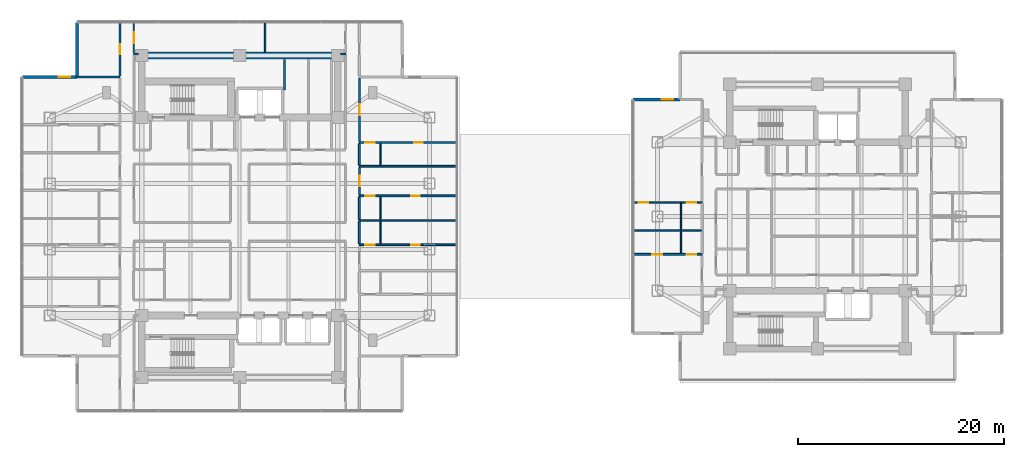
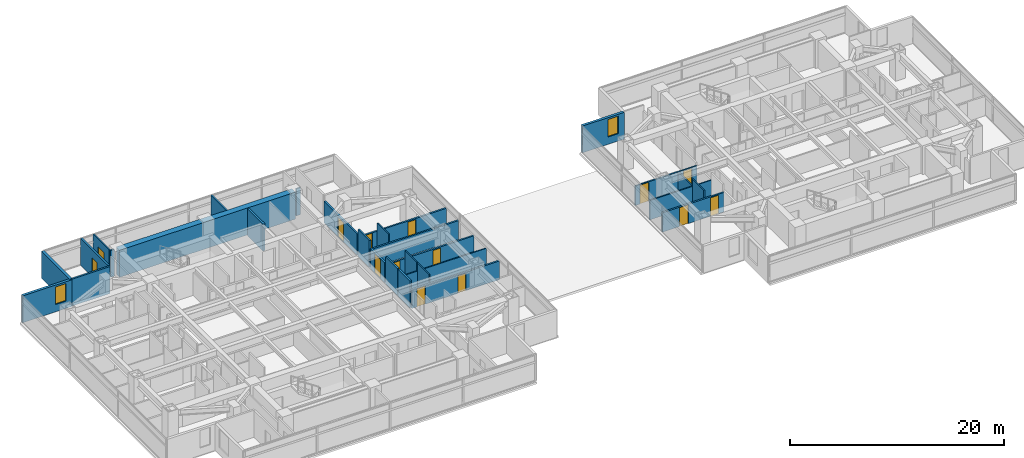
# One storey, part 16 of 26: 29 walls, 14 doors, 2 windows, 16 openings.
"""IFC4 building model written with IfcOpenShell, lengths in metres."""

from ifc_helpers import new_model, si_unit, direction, frame, frame_2d, origin, place, context, subcontext, project, spatial, rectangle, extrude, material, layer, layer_set, type_object, element, fill, save


model = new_model("IFC4")

# Units and contexts
model_context = context("Model", 3, precision=1e-05, world=origin(), true_north=direction((0.0, 1.0)))
body_context = subcontext(model_context, "Body", "Model", "MODEL_VIEW")
ifc_project = project(units=[si_unit("LENGTHUNIT", "METRE"), si_unit("AREAUNIT", "SQUARE_METRE"), si_unit("VOLUMEUNIT", "CUBIC_METRE"), si_unit("PLANEANGLEUNIT", "RADIAN"), si_unit("MASSUNIT", "GRAM", prefix="KILO")], contexts=[model_context])

# Site, building, storey
site_placement = place(None, origin())
site = spatial("IfcSite", under=ifc_project, at=site_placement, CompositionType="ELEMENT")
building_placement = place(site_placement, origin())
building = spatial("IfcBuilding", under=site, at=building_placement, Name="Mirazonda Arch Towers", CompositionType="ELEMENT")
storey_placement = place(building_placement, frame((0.0, 0.0, 98.300048828125)))
storey = spatial("IfcBuildingStorey", under=building, at=storey_placement, Name="L27", CompositionType="ELEMENT", Elevation=98.300048828125)

# Wall
ifc_material_1 = material(Name="Concrete C60/75", Category="concrete")
ifc_layer_1 = layer(ifc_material_1, 0.64990234375, Name="WALL-CORE-650")
ifc_layer_set_1 = layer_set([ifc_layer_1], Name="Concrete C60/75")
wall_type_1 = type_object("IfcWallType", Name="WALL-CORE-650", PredefinedType="SHEAR", material=ifc_layer_set_1)
wall_1_placement = place(storey_placement, frame((11.0, 43.60009765625, 0.0), z_axis=(0.0, 0.0, 1.0), x_axis=(1.0, 0.0, 0.0)))
element("IfcWall", 1, at=wall_1_placement, inside=storey, type_object=wall_type_1, Name="L27 T1N-N Core Shear Wall", PredefinedType="SHEAR", context=body_context, shape_type="SweptSolid", body=[
    extrude(rectangle(XDim=19.0, YDim=0.64990234375, at=frame_2d((9.5, 0.0))), origin(), (0.0, 0.0, 1.0), 3.079833984375),
])

# Wall, opening, window
ifc_material_2 = material(Name="Precast Concrete C40/50", Category="concrete")
ifc_layer_2 = layer(ifc_material_2, 0.280029296875, Name="WALL-EXT-WALL-280")
ifc_layer_set_2 = layer_set([ifc_layer_2], Name="Precast Concrete C40/50")
wall_type_2 = type_object("IfcWallType", Name="WALL-EXT-WALL-280", PredefinedType="SOLIDWALL", material=ifc_layer_set_2)
wall_2_placement = place(storey_placement, frame((4.735107421875, 41.51904296875, 0.0), z_axis=(0.0, 0.0, 1.0), x_axis=(-1.0, 0.0, 0.0)))
wall_2 = element("IfcWall", 2, at=wall_2_placement, inside=storey, type_object=wall_type_2, Name="L27 T1 Corner Notch Return Wall WL-L27-T1-CNW1", PredefinedType="SOLIDWALL", context=body_context, shape_type="SweptSolid", body=[
    extrude(rectangle(XDim=5.30517578125, YDim=0.280029296875, at=frame_2d((2.652587890625, 0.0))), origin(), (0.0, 0.0, 1.0), 3.06005859375),
])
opening_1_placement = place(wall_2_placement, frame((0.64990234375, 0.0, 0.85009765625)))
opening_1 = element("IfcOpeningElement", 3, at=opening_1_placement, cuts=wall_2, Name="Opening WN-108", PredefinedType="OPENING", context=body_context, shape_type="SweptSolid", body=[
    extrude(rectangle(XDim=1.10009765625, YDim=2.0, at=frame_2d((0.550048828125, 1.0))), frame((0.0, 0.14990234375, 0.0), z_axis=(0.0, -1.0, 0.0), x_axis=(1.0, 0.0, 0.0)), (0.0, 0.0, 1.0), 0.300048828125),
])
ifc_material_3 = material(Name="Insulated Low-E Solar Glass", Category="glass")
window_type = type_object("IfcWindowType", Name="WIN-NOTCH-1100x2000", PartitioningType="SINGLE_PANEL", PredefinedType="WINDOW", material=ifc_material_3)
window_1_placement = place(opening_1_placement, origin())
window_1 = element("IfcWindow", 4, at=window_1_placement, inside=storey, type_object=window_type, Name="L27 Punched Facade Window WN-L27-T1-CNW1", OverallHeight=2.0, OverallWidth=1.10009765625, PartitioningType="SINGLE_PANEL", PredefinedType="WINDOW", context=body_context, shape_type="SweptSolid", body=[
    extrude(rectangle(XDim=1.10009765625, YDim=2.0, at=frame_2d((0.550048828125, 1.0))), frame((0.0, 0.030029296875, 0.0), z_axis=(0.0, -1.0, 0.0), x_axis=(1.0, 0.0, 0.0)), (0.0, 0.0, 1.0), 0.06005859375),
])
fill(opening_1, window_1)

# Wall
wall_3_placement = place(storey_placement, frame((4.735107421875, 46.823974609375, 0.0), z_axis=(0.0, 0.0, 1.0), x_axis=(0.0, -1.0, 0.0)))
element("IfcWall", 5, at=wall_3_placement, inside=storey, type_object=wall_type_2, Name="L27 T1 Corner Notch Return Wall WL-L27-T1-CNW2", PredefinedType="SOLIDWALL", context=body_context, shape_type="SweptSolid", body=[
    extrude(rectangle(XDim=5.304931640625, YDim=0.280029296875, at=frame_2d((2.65234375, 0.0))), origin(), (0.0, 0.0, 1.0), 3.06005859375),
])

# Wall, opening, window
wall_4_placement = place(storey_placement, frame((63.159912109375, 39.3310546875, 0.0), z_axis=(0.0, 0.0, 1.0), x_axis=(-1.0, 0.0, 0.0)))
wall_4 = element("IfcWall", 6, at=wall_4_placement, inside=storey, type_object=wall_type_2, Name="L27 T2 Corner Notch Return Wall WL-L27-T2-CNW1", PredefinedType="SOLIDWALL", context=body_context, shape_type="SweptSolid", body=[
    extrude(rectangle(XDim=4.516357421875, YDim=0.280029296875, at=frame_2d((2.25830078125, 0.0))), origin(), (0.0, 0.0, 1.0), 3.06005859375),
])
opening_2_placement = place(wall_4_placement, frame((0.64990234375, 0.0, 0.85009765625)))
opening_2 = element("IfcOpeningElement", 7, at=opening_2_placement, cuts=wall_4, Name="Opening WN-108", PredefinedType="OPENING", context=body_context, shape_type="SweptSolid", body=[
    extrude(rectangle(XDim=1.10009765625, YDim=2.0, at=frame_2d((0.550048828125, 1.0))), frame((0.0, 0.14990234375, 0.0), z_axis=(0.0, -1.0, 0.0), x_axis=(1.0, 0.0, 0.0)), (0.0, 0.0, 1.0), 0.300048828125),
])
window_2_placement = place(opening_2_placement, origin())
window_2 = element("IfcWindow", 8, at=window_2_placement, inside=storey, type_object=window_type, Name="L27 Punched Facade Window WN-L27-T2-CNW1", OverallHeight=2.0, OverallWidth=1.10009765625, PartitioningType="SINGLE_PANEL", PredefinedType="WINDOW", context=body_context, shape_type="SweptSolid", body=[
    extrude(rectangle(XDim=1.10009765625, YDim=2.0, at=frame_2d((0.550048828125, 1.0))), frame((0.0, 0.030029296875, 0.0), z_axis=(0.0, -1.0, 0.0), x_axis=(1.0, 0.0, 0.0)), (0.0, 0.0, 1.0), 0.06005859375),
])
fill(opening_2, window_2)

# Wall
ifc_material_4 = material(Name="Concrete C40/50", Category="concrete")
ifc_layer_3 = layer(ifc_material_4, 0.219970703125, Name="WALL-FFL-220")
ifc_layer_set_3 = layer_set([ifc_layer_3], Name="Concrete C40/50")
wall_type_3 = type_object("IfcWallType", Name="WALL-FFL-220", PredefinedType="SOLIDWALL", material=ifc_layer_set_3)
wall_5_placement = place(storey_placement, frame((24.85009765625, 40.260009765625, 0.0), z_axis=(0.0, 0.0, 1.0), x_axis=(0.0, 1.0, 0.0)))
element("IfcWall", 9, at=wall_5_placement, inside=storey, type_object=wall_type_3, Name="L27 Interior Partition 108", PredefinedType="SOLIDWALL", context=body_context, shape_type="SweptSolid", body=[
    extrude(rectangle(XDim=2.93994140625, YDim=0.219970703125, at=frame_2d((1.469970703125, 0.0))), origin(), (0.0, 0.0, 1.0), 3.079833984375),
])

# Wall, openings, doors
ifc_material_5 = material(Name="Fire-Rated Gypsum Stud Partition")
ifc_layer_4 = layer(ifc_material_5, 0.14990234375, Name="WALL-PART-CORR-150")
ifc_layer_set_4 = layer_set([ifc_layer_4], Name="Fire-Rated Gypsum Stud Partition")
wall_type_4 = type_object("IfcWallType", Name="WALL-PART-CORR-150", PredefinedType="PARTITIONING", material=ifc_layer_set_4)
wall_6_placement = place(storey_placement, frame((58.64306640625, 29.35205078125, 0.0), z_axis=(0.0, 0.0, 1.0), x_axis=(1.0, 0.0, 0.0)))
wall_6 = element("IfcWall", 10, at=wall_6_placement, inside=storey, type_object=wall_type_4, Name="L27 Interior Partition 041", PredefinedType="PARTITIONING", context=body_context, shape_type="SweptSolid", body=[
    extrude(rectangle(XDim=6.677001953125, YDim=0.14990234375, at=frame_2d((3.33837890625, 0.0))), origin(), (0.0, 0.0, 1.0), 2.216064453125),
])
opening_3_placement = place(wall_6_placement, frame((0.513427734375, 0.0, 0.0)))
opening_3 = element("IfcOpeningElement", 11, at=opening_3_placement, cuts=wall_6, Name="Opening DR-104", PredefinedType="OPENING", context=body_context, shape_type="SweptSolid", body=[
    extrude(rectangle(XDim=0.949951171875, YDim=2.14990234375, at=frame_2d((0.47509765625, 1.074951171875))), frame((0.0, 0.0849609375, 0.0), z_axis=(0.0, -1.0, 0.0), x_axis=(1.0, 0.0, 0.0)), (0.0, 0.0, 1.0), 0.169921875),
])
opening_4_placement = place(wall_6_placement, frame((5.18701171875, 0.0, 0.0)))
opening_4 = element("IfcOpeningElement", 12, at=opening_4_placement, cuts=wall_6, Name="Opening DR-120", PredefinedType="OPENING", context=body_context, shape_type="SweptSolid", body=[
    extrude(rectangle(XDim=0.89990234375, YDim=2.10009765625, at=frame_2d((0.449951171875, 1.050048828125))), frame((0.0, 0.0849609375, 0.0), z_axis=(0.0, -1.0, 0.0), x_axis=(1.0, 0.0, 0.0)), (0.0, 0.0, 1.0), 0.169921875),
])
ifc_material_6 = material(Name="Architectural Brushed Steel S355", Category="steel")
door_type_1 = type_object("IfcDoorType", Name="DOOR-ROOM-950", OperationType="NOTDEFINED", PredefinedType="DOOR", material=ifc_material_6)
door_1_placement = place(opening_3_placement, origin())
door_1 = element("IfcDoor", 13, at=door_1_placement, inside=storey, type_object=door_type_1, Name="L27 Suite Bedroom 2 Door", OperationType="SINGLE_SWING_LEFT", OverallHeight=2.14990234375, OverallWidth=0.949951171875, PredefinedType="DOOR", context=body_context, shape_type="SweptSolid", body=[
    extrude(rectangle(XDim=0.949951171875, YDim=2.14990234375, at=frame_2d((0.47509765625, 1.074951171875))), frame((0.0, 0.02490234375, 0.0), z_axis=(0.0, -1.0, 0.0), x_axis=(1.0, 0.0, 0.0)), (0.0, 0.0, 1.0), 0.050048828125),
])
fill(opening_3, door_1)
door_type_2 = type_object("IfcDoorType", Name="DOOR-WC-900", OperationType="NOTDEFINED", PredefinedType="DOOR", material=ifc_material_6)
door_2_placement = place(opening_4_placement, origin())
door_2 = element("IfcDoor", 14, at=door_2_placement, inside=storey, type_object=door_type_2, Name="L27 Suite En-Suite Bathroom 2 Door", OperationType="SINGLE_SWING_RIGHT", OverallHeight=2.10009765625, OverallWidth=0.89990234375, PredefinedType="DOOR", context=body_context, shape_type="SweptSolid", body=[
    extrude(rectangle(XDim=0.89990234375, YDim=2.10009765625, at=frame_2d((0.449951171875, 1.050048828125))), frame((0.0, 0.02490234375, 0.0), z_axis=(0.0, -1.0, 0.0), x_axis=(1.0, 0.0, 0.0)), (0.0, 0.0, 1.0), 0.050048828125),
])
fill(opening_4, door_2)

# Walls
for number, where, z_axis, x_axis, name in (
    (15, (10.239990234375, 43.75, 0.0), (0.0, 0.0, 1.0), (1.0, 0.0, 0.0), "L27 Interior Partition 065"),
    (16, (30.320068359375, 43.75, 0.0), (0.0, 0.0, 1.0), (1.0, 0.0, 0.0), "L27 Interior Partition 066"),
):
    element("IfcWall", number, at=place(storey_placement, frame(where, z_axis=z_axis, x_axis=x_axis)), inside=storey, type_object=wall_type_4, Name=name, PredefinedType="PARTITIONING", context=body_context, shape_type="SweptSolid", body=[
        extrude(rectangle(XDim=0.43994140625, YDim=0.14990234375, at=frame_2d((0.219970703125, 0.0))), origin(), (0.0, 0.0, 1.0), 3.079833984375),
    ])

# Wall, opening, door
wall_7_placement = place(storey_placement, frame((10.239990234375, 43.8349609375, 0.0), z_axis=(0.0, 0.0, 1.0), x_axis=(0.0, 1.0, 0.0)))
wall_7 = element("IfcWall", 17, at=wall_7_placement, inside=storey, type_object=wall_type_4, Name="L27 Interior Partition 087", PredefinedType="PARTITIONING", context=body_context, shape_type="SweptSolid", body=[
    extrude(rectangle(XDim=2.989013671875, YDim=0.14990234375, at=frame_2d((1.49462890625, 0.0))), origin(), (0.0, 0.0, 1.0), 3.079833984375),
])
opening_5_placement = place(wall_7_placement, frame((0.969482421875, 0.0, 0.0)))
opening_5 = element("IfcOpeningElement", 18, at=opening_5_placement, cuts=wall_7, Name="Opening DR-121", PredefinedType="OPENING", context=body_context, shape_type="SweptSolid", body=[
    extrude(rectangle(XDim=1.050048828125, YDim=2.199951171875, at=frame_2d((0.52490234375, 1.10009765625))), frame((0.0, 0.0849609375, 0.0), z_axis=(0.0, -1.0, 0.0), x_axis=(1.0, 0.0, 0.0)), (0.0, 0.0, 1.0), 0.169921875),
])
door_type_3 = type_object("IfcDoorType", Name="DOOR-SUITE-FD60-1050", OperationType="NOTDEFINED", PredefinedType="DOOR", material=ifc_material_6)
door_3_placement = place(opening_5_placement, origin())
door_3 = element("IfcDoor", 19, at=door_3_placement, inside=storey, type_object=door_type_3, Name="L27 North Reading Salon West Door", OperationType="SINGLE_SWING_RIGHT", OverallHeight=2.199951171875, OverallWidth=1.050048828125, PredefinedType="DOOR", context=body_context, shape_type="SweptSolid", body=[
    extrude(rectangle(XDim=1.050048828125, YDim=2.199951171875, at=frame_2d((0.52490234375, 1.10009765625))), frame((0.0, 0.02490234375, 0.0), z_axis=(0.0, -1.0, 0.0), x_axis=(1.0, 0.0, 0.0)), (0.0, 0.0, 1.0), 0.050048828125),
])
fill(opening_5, door_3)

# Wall
wall_8_placement = place(storey_placement, frame((22.9619140625, 43.919921875, 0.0), z_axis=(0.0, 0.0, 1.0), x_axis=(0.0, 1.0, 0.0)))
element("IfcWall", 20, at=wall_8_placement, inside=storey, type_object=wall_type_4, Name="L27 Interior Partition 103", PredefinedType="PARTITIONING", context=body_context, shape_type="SweptSolid", body=[
    extrude(rectangle(XDim=2.904052734375, YDim=0.14990234375, at=frame_2d((1.4521484375, 0.0))), origin(), (0.0, 0.0, 1.0), 3.079833984375),
])

# Wall, openings, doors
ifc_material_7 = material(Name="Fire-Rated Gypsum Twin-Stud Assembly")
ifc_layer_5 = layer(ifc_material_7, 0.179931640625, Name="WALL-PART-DEMISE-180")
ifc_layer_set_5 = layer_set([ifc_layer_5], Name="Fire-Rated Gypsum Twin-Stud Assembly")
wall_type_5 = type_object("IfcWallType", Name="WALL-PART-DEMISE-180", PredefinedType="PARTITIONING", material=ifc_layer_set_5)
wall_9_placement = place(storey_placement, frame((58.64306640625, 24.33203125, 0.0), z_axis=(0.0, 0.0, 1.0), x_axis=(1.0, 0.0, 0.0)))
wall_9 = element("IfcWall", 21, at=wall_9_placement, inside=storey, type_object=wall_type_5, Name="L27 Interior Partition 027", PredefinedType="PARTITIONING", context=body_context, shape_type="SweptSolid", body=[
    extrude(rectangle(XDim=6.677001953125, YDim=0.179931640625, at=frame_2d((3.33837890625, 0.0))), origin(), (0.0, 0.0, 1.0), 2.216064453125),
])
opening_6_placement = place(wall_9_placement, frame((1.863525390625, 0.0, 0.0)))
opening_6 = element("IfcOpeningElement", 22, at=opening_6_placement, cuts=wall_9, Name="Opening DR-104", PredefinedType="OPENING", context=body_context, shape_type="SweptSolid", body=[
    extrude(rectangle(XDim=0.949951171875, YDim=2.14990234375, at=frame_2d((0.47509765625, 1.074951171875))), frame((0.0, 0.099853515625, 0.0), z_axis=(0.0, -1.0, 0.0), x_axis=(1.0, 0.0, 0.0)), (0.0, 0.0, 1.0), 0.199951171875),
])
opening_7_placement = place(wall_9_placement, frame((5.18701171875, 0.0, 0.0)))
opening_7 = element("IfcOpeningElement", 23, at=opening_7_placement, cuts=wall_9, Name="Opening DR-120", PredefinedType="OPENING", context=body_context, shape_type="SweptSolid", body=[
    extrude(rectangle(XDim=0.89990234375, YDim=2.10009765625, at=frame_2d((0.449951171875, 1.050048828125))), frame((0.0, 0.099853515625, 0.0), z_axis=(0.0, -1.0, 0.0), x_axis=(1.0, 0.0, 0.0)), (0.0, 0.0, 1.0), 0.199951171875),
])
door_4_placement = place(opening_6_placement, origin())
door_4 = element("IfcDoor", 24, at=door_4_placement, inside=storey, type_object=door_type_1, Name="L27 Suite Bedroom 1 Door", OperationType="SINGLE_SWING_RIGHT", OverallHeight=2.14990234375, OverallWidth=0.949951171875, PredefinedType="DOOR", context=body_context, shape_type="SweptSolid", body=[
    extrude(rectangle(XDim=0.949951171875, YDim=2.14990234375, at=frame_2d((0.47509765625, 1.074951171875))), frame((0.0, 0.02490234375, 0.0), z_axis=(0.0, -1.0, 0.0), x_axis=(1.0, 0.0, 0.0)), (0.0, 0.0, 1.0), 0.050048828125),
])
fill(opening_6, door_4)
door_5_placement = place(opening_7_placement, origin())
door_5 = element("IfcDoor", 25, at=door_5_placement, inside=storey, type_object=door_type_2, Name="L27 Suite En-Suite Bathroom 1 Door", OperationType="SINGLE_SWING_LEFT", OverallHeight=2.10009765625, OverallWidth=0.89990234375, PredefinedType="DOOR", context=body_context, shape_type="SweptSolid", body=[
    extrude(rectangle(XDim=0.89990234375, YDim=2.10009765625, at=frame_2d((0.449951171875, 1.050048828125))), frame((0.0, 0.02490234375, 0.0), z_axis=(0.0, -1.0, 0.0), x_axis=(1.0, 0.0, 0.0)), (0.0, 0.0, 1.0), 0.050048828125),
])
fill(opening_7, door_5)

wall_10_placement = place(storey_placement, frame((32.10009765625, 25.2548828125, 0.0), z_axis=(0.0, 0.0, 1.0), x_axis=(1.0, 0.0, 0.0)))
wall_10 = element("IfcWall", 26, at=wall_10_placement, inside=storey, type_object=wall_type_5, Name="L27 Interior Partition 030", PredefinedType="PARTITIONING", context=body_context, shape_type="SweptSolid", body=[
    extrude(rectangle(XDim=9.469970703125, YDim=0.179931640625, at=frame_2d((4.73486328125, 0.0))), origin(), (0.0, 0.0, 1.0), 2.14501953125),
])
opening_8_placement = place(wall_10_placement, frame((5.010009765625, 0.0, 0.0)))
opening_8 = element("IfcOpeningElement", 27, at=opening_8_placement, cuts=wall_10, Name="Opening DR-128", PredefinedType="OPENING", context=body_context, shape_type="SweptSolid", body=[
    extrude(rectangle(XDim=0.85009765625, YDim=2.010009765625, at=frame_2d((0.425048828125, 1.0048828125))), frame((0.0, 0.099853515625, 0.0), z_axis=(0.0, -1.0, 0.0), x_axis=(1.0, 0.0, 0.0)), (0.0, 0.0, 1.0), 0.199951171875),
])
opening_9_placement = place(wall_10_placement, frame((0.590087890625, 0.0, 0.0)))
opening_9 = element("IfcOpeningElement", 28, at=opening_9_placement, cuts=wall_10, Name="Opening DR-120", PredefinedType="OPENING", context=body_context, shape_type="SweptSolid", body=[
    extrude(rectangle(XDim=0.89990234375, YDim=2.10009765625, at=frame_2d((0.449951171875, 1.050048828125))), frame((0.0, 0.099853515625, 0.0), z_axis=(0.0, -1.0, 0.0), x_axis=(1.0, 0.0, 0.0)), (0.0, 0.0, 1.0), 0.199951171875),
])
door_type_4 = type_object("IfcDoorType", Name="DOOR-RISER-FD60-850", OperationType="NOTDEFINED", PredefinedType="DOOR", material=ifc_material_6)
door_6_placement = place(opening_8_placement, origin())
door_6 = element("IfcDoor", 29, at=door_6_placement, inside=storey, type_object=door_type_4, Name="L27 Guestroom Study 2 Door", OperationType="SINGLE_SWING_RIGHT", OverallHeight=2.010009765625, OverallWidth=0.85009765625, PredefinedType="DOOR", context=body_context, shape_type="SweptSolid", body=[
    extrude(rectangle(XDim=0.85009765625, YDim=2.010009765625, at=frame_2d((0.425048828125, 1.0048828125))), frame((0.0, 0.02490234375, 0.0), z_axis=(0.0, -1.0, 0.0), x_axis=(1.0, 0.0, 0.0)), (0.0, 0.0, 1.0), 0.050048828125),
])
fill(opening_8, door_6)
door_7_placement = place(opening_9_placement, origin())
door_7 = element("IfcDoor", 30, at=door_7_placement, inside=storey, type_object=door_type_2, Name="L27 En-Suite Bathroom 2 Door", OperationType="SINGLE_SWING_LEFT", OverallHeight=2.10009765625, OverallWidth=0.89990234375, PredefinedType="DOOR", context=body_context, shape_type="SweptSolid", body=[
    extrude(rectangle(XDim=0.89990234375, YDim=2.10009765625, at=frame_2d((0.449951171875, 1.050048828125))), frame((0.0, 0.02490234375, 0.0), z_axis=(0.0, -1.0, 0.0), x_axis=(1.0, 0.0, 0.0)), (0.0, 0.0, 1.0), 0.050048828125),
])
fill(opening_9, door_7)

wall_11_placement = place(storey_placement, frame((32.10009765625, 29.9951171875, 0.0), z_axis=(0.0, 0.0, 1.0), x_axis=(1.0, 0.0, 0.0)))
wall_11 = element("IfcWall", 31, at=wall_11_placement, inside=storey, type_object=wall_type_5, Name="L27 Interior Partition 042", PredefinedType="PARTITIONING", context=body_context, shape_type="SweptSolid", body=[
    extrude(rectangle(XDim=9.469970703125, YDim=0.179931640625, at=frame_2d((4.73486328125, 0.0))), origin(), (0.0, 0.0, 1.0), 2.14501953125),
])
opening_10_placement = place(wall_11_placement, frame((5.010009765625, 0.0, 0.0)))
opening_10 = element("IfcOpeningElement", 32, at=opening_10_placement, cuts=wall_11, Name="Opening DR-128", PredefinedType="OPENING", context=body_context, shape_type="SweptSolid", body=[
    extrude(rectangle(XDim=0.85009765625, YDim=2.010009765625, at=frame_2d((0.425048828125, 1.0048828125))), frame((0.0, 0.099853515625, 0.0), z_axis=(0.0, -1.0, 0.0), x_axis=(1.0, 0.0, 0.0)), (0.0, 0.0, 1.0), 0.199951171875),
])
opening_11_placement = place(wall_11_placement, frame((0.590087890625, 0.0, 0.0)))
opening_11 = element("IfcOpeningElement", 33, at=opening_11_placement, cuts=wall_11, Name="Opening DR-120", PredefinedType="OPENING", context=body_context, shape_type="SweptSolid", body=[
    extrude(rectangle(XDim=0.89990234375, YDim=2.10009765625, at=frame_2d((0.449951171875, 1.050048828125))), frame((0.0, 0.099853515625, 0.0), z_axis=(0.0, -1.0, 0.0), x_axis=(1.0, 0.0, 0.0)), (0.0, 0.0, 1.0), 0.199951171875),
])
door_8_placement = place(opening_10_placement, origin())
door_8 = element("IfcDoor", 34, at=door_8_placement, inside=storey, type_object=door_type_4, Name="L27 Guestroom Study 3 Door", OperationType="SINGLE_SWING_LEFT", OverallHeight=2.010009765625, OverallWidth=0.85009765625, PredefinedType="DOOR", context=body_context, shape_type="SweptSolid", body=[
    extrude(rectangle(XDim=0.85009765625, YDim=2.010009765625, at=frame_2d((0.425048828125, 1.0048828125))), frame((0.0, 0.02490234375, 0.0), z_axis=(0.0, -1.0, 0.0), x_axis=(1.0, 0.0, 0.0)), (0.0, 0.0, 1.0), 0.050048828125),
])
fill(opening_10, door_8)
door_9_placement = place(opening_11_placement, origin())
door_9 = element("IfcDoor", 35, at=door_9_placement, inside=storey, type_object=door_type_2, Name="L27 En-Suite Bathroom 3 Door", OperationType="SINGLE_SWING_RIGHT", OverallHeight=2.10009765625, OverallWidth=0.89990234375, PredefinedType="DOOR", context=body_context, shape_type="SweptSolid", body=[
    extrude(rectangle(XDim=0.89990234375, YDim=2.10009765625, at=frame_2d((0.449951171875, 1.050048828125))), frame((0.0, 0.02490234375, 0.0), z_axis=(0.0, -1.0, 0.0), x_axis=(1.0, 0.0, 0.0)), (0.0, 0.0, 1.0), 0.050048828125),
])
fill(opening_11, door_9)

# Wall
wall_12_placement = place(storey_placement, frame((32.10009765625, 32.8720703125, 0.0), z_axis=(0.0, 0.0, 1.0), x_axis=(1.0, 0.0, 0.0)))
element("IfcWall", 36, at=wall_12_placement, inside=storey, type_object=wall_type_5, Name="L27 Interior Partition 048", PredefinedType="PARTITIONING", context=body_context, shape_type="SweptSolid", body=[
    extrude(rectangle(XDim=9.469970703125, YDim=0.179931640625, at=frame_2d((4.73486328125, 0.0))), origin(), (0.0, 0.0, 1.0), 2.14501953125),
])

# Wall, openings, doors
wall_13_placement = place(storey_placement, frame((32.10009765625, 35.172119140625, 0.0), z_axis=(0.0, 0.0, 1.0), x_axis=(1.0, 0.0, 0.0)))
wall_13 = element("IfcWall", 37, at=wall_13_placement, inside=storey, type_object=wall_type_5, Name="L27 Interior Partition 054", PredefinedType="PARTITIONING", context=body_context, shape_type="SweptSolid", body=[
    extrude(rectangle(XDim=9.469970703125, YDim=0.179931640625, at=frame_2d((4.73486328125, 0.0))), origin(), (0.0, 0.0, 1.0), 2.14501953125),
])
opening_12_placement = place(wall_13_placement, frame((5.31005859375, 0.0, 0.0)))
opening_12 = element("IfcOpeningElement", 38, at=opening_12_placement, cuts=wall_13, Name="Opening DR-128", PredefinedType="OPENING", context=body_context, shape_type="SweptSolid", body=[
    extrude(rectangle(XDim=0.85009765625, YDim=2.010009765625, at=frame_2d((0.425048828125, 1.0048828125))), frame((0.0, 0.099853515625, 0.0), z_axis=(0.0, -1.0, 0.0), x_axis=(1.0, 0.0, 0.0)), (0.0, 0.0, 1.0), 0.199951171875),
])
opening_13_placement = place(wall_13_placement, frame((0.590087890625, 0.0, 0.0)))
opening_13 = element("IfcOpeningElement", 39, at=opening_13_placement, cuts=wall_13, Name="Opening DR-120", PredefinedType="OPENING", context=body_context, shape_type="SweptSolid", body=[
    extrude(rectangle(XDim=0.89990234375, YDim=2.10009765625, at=frame_2d((0.449951171875, 1.050048828125))), frame((0.0, 0.099853515625, 0.0), z_axis=(0.0, -1.0, 0.0), x_axis=(1.0, 0.0, 0.0)), (0.0, 0.0, 1.0), 0.199951171875),
])
door_10_placement = place(opening_12_placement, origin())
door_10 = element("IfcDoor", 40, at=door_10_placement, inside=storey, type_object=door_type_4, Name="L27 Guestroom Study 4 Door", OperationType="SINGLE_SWING_RIGHT", OverallHeight=2.010009765625, OverallWidth=0.85009765625, PredefinedType="DOOR", context=body_context, shape_type="SweptSolid", body=[
    extrude(rectangle(XDim=0.85009765625, YDim=2.010009765625, at=frame_2d((0.425048828125, 1.0048828125))), frame((0.0, 0.02490234375, 0.0), z_axis=(0.0, -1.0, 0.0), x_axis=(1.0, 0.0, 0.0)), (0.0, 0.0, 1.0), 0.050048828125),
])
fill(opening_12, door_10)
door_11_placement = place(opening_13_placement, origin())
door_11 = element("IfcDoor", 41, at=door_11_placement, inside=storey, type_object=door_type_2, Name="L27 En-Suite Bathroom 4 Door", OperationType="SINGLE_SWING_LEFT", OverallHeight=2.10009765625, OverallWidth=0.89990234375, PredefinedType="DOOR", context=body_context, shape_type="SweptSolid", body=[
    extrude(rectangle(XDim=0.89990234375, YDim=2.10009765625, at=frame_2d((0.449951171875, 1.050048828125))), frame((0.0, 0.02490234375, 0.0), z_axis=(0.0, -1.0, 0.0), x_axis=(1.0, 0.0, 0.0)), (0.0, 0.0, 1.0), 0.050048828125),
])
fill(opening_13, door_11)

# Wall
wall_14_placement = place(storey_placement, frame((4.7548828125, 41.51904296875, 0.0), z_axis=(0.0, 0.0, 1.0), x_axis=(1.0, 0.0, 0.0)))
element("IfcWall", 42, at=wall_14_placement, inside=storey, type_object=wall_type_5, Name="L27 Interior Partition 063", PredefinedType="PARTITIONING", context=body_context, shape_type="SweptSolid", body=[
    extrude(rectangle(XDim=4.14501953125, YDim=0.179931640625, at=frame_2d((2.072509765625, 0.0))), origin(), (0.0, 0.0, 1.0), 3.079833984375),
])

# Wall, opening, door
wall_15_placement = place(storey_placement, frame((8.89990234375, 41.618896484375, 0.0), z_axis=(0.0, 0.0, 1.0), x_axis=(0.0, 1.0, 0.0)))
wall_15 = element("IfcWall", 43, at=wall_15_placement, inside=storey, type_object=wall_type_5, Name="L27 Interior Partition 080", PredefinedType="PARTITIONING", context=body_context, shape_type="SweptSolid", body=[
    extrude(rectangle(XDim=5.205078125, YDim=0.179931640625, at=frame_2d((2.6025390625, 0.0))), origin(), (0.0, 0.0, 1.0), 3.079833984375),
])
opening_14_placement = place(wall_15_placement, frame((2.12744140625, 0.0, 0.0)))
opening_14 = element("IfcOpeningElement", 44, at=opening_14_placement, cuts=wall_15, Name="Opening DR-104", PredefinedType="OPENING", context=body_context, shape_type="SweptSolid", body=[
    extrude(rectangle(XDim=0.949951171875, YDim=2.14990234375, at=frame_2d((0.47509765625, 1.074951171875))), frame((0.0, 0.099853515625, 0.0), z_axis=(0.0, -1.0, 0.0), x_axis=(1.0, 0.0, 0.0)), (0.0, 0.0, 1.0), 0.199951171875),
])
door_12_placement = place(opening_14_placement, origin())
door_12 = element("IfcDoor", 45, at=door_12_placement, inside=storey, type_object=door_type_1, Name="L27 North Reading Salon Alcove West Door", OperationType="SINGLE_SWING_RIGHT", OverallHeight=2.14990234375, OverallWidth=0.949951171875, PredefinedType="DOOR", context=body_context, shape_type="SweptSolid", body=[
    extrude(rectangle(XDim=0.949951171875, YDim=2.14990234375, at=frame_2d((0.47509765625, 1.074951171875))), frame((0.0, 0.02490234375, 0.0), z_axis=(0.0, -1.0, 0.0), x_axis=(1.0, 0.0, 0.0)), (0.0, 0.0, 1.0), 0.050048828125),
])
fill(opening_14, door_12)

# Walls
for number, where, z_axis, x_axis, name in (
    (46, (32.10009765625, 25.35498046875, 0.0), (0.0, 0.0, 1.0), (0.0, 1.0, 0.0), "L27 Interior Partition 124"),
    (47, (32.10009765625, 27.697509765625, 0.0), (0.0, 0.0, 1.0), (0.0, 1.0, 0.0), "L27 Interior Partition 125"),
):
    element("IfcWall", number, at=place(storey_placement, frame(where, z_axis=z_axis, x_axis=x_axis)), inside=storey, type_object=wall_type_5, Name=name, PredefinedType="PARTITIONING", context=body_context, shape_type="SweptSolid", body=[
        extrude(rectangle(XDim=2.197509765625, YDim=0.179931640625, at=frame_2d((1.0986328125, 0.0))), origin(), (0.0, 0.0, 1.0), 3.079833984375),
    ])

# Wall, opening, door
wall_16_placement = place(storey_placement, frame((32.10009765625, 30.094970703125, 0.0), z_axis=(0.0, 0.0, 1.0), x_axis=(0.0, 1.0, 0.0)))
wall_16 = element("IfcWall", 48, at=wall_16_placement, inside=storey, type_object=wall_type_5, Name="L27 Interior Partition 126", PredefinedType="PARTITIONING", context=body_context, shape_type="SweptSolid", body=[
    extrude(rectangle(XDim=2.677001953125, YDim=0.179931640625, at=frame_2d((1.33837890625, 0.0))), origin(), (0.0, 0.0, 1.0), 2.299072265625),
])
opening_15_placement = place(wall_16_placement, frame((0.8134765625, 0.0, 0.0)))
opening_15 = element("IfcOpeningElement", 49, at=opening_15_placement, cuts=wall_16, Name="Opening DR-121", PredefinedType="OPENING", context=body_context, shape_type="SweptSolid", body=[
    extrude(rectangle(XDim=1.050048828125, YDim=2.199951171875, at=frame_2d((0.52490234375, 1.10009765625))), frame((0.0, 0.099853515625, 0.0), z_axis=(0.0, -1.0, 0.0), x_axis=(1.0, 0.0, 0.0)), (0.0, 0.0, 1.0), 0.199951171875),
])
door_13_placement = place(opening_15_placement, origin())
door_13 = element("IfcDoor", 50, at=door_13_placement, inside=storey, type_object=door_type_3, Name="L27 King Hotel Guestroom 3 Door", OperationType="SINGLE_SWING_RIGHT", OverallHeight=2.199951171875, OverallWidth=1.050048828125, PredefinedType="DOOR", context=body_context, shape_type="SweptSolid", body=[
    extrude(rectangle(XDim=1.050048828125, YDim=2.199951171875, at=frame_2d((0.52490234375, 1.10009765625))), frame((0.0, 0.02490234375, 0.0), z_axis=(0.0, -1.0, 0.0), x_axis=(1.0, 0.0, 0.0)), (0.0, 0.0, 1.0), 0.050048828125),
])
fill(opening_15, door_13)

# Wall
wall_17_placement = place(storey_placement, frame((32.10009765625, 32.971923828125, 0.0), z_axis=(0.0, 0.0, 1.0), x_axis=(0.0, 1.0, 0.0)))
element("IfcWall", 51, at=wall_17_placement, inside=storey, type_object=wall_type_5, Name="L27 Interior Partition 127", PredefinedType="PARTITIONING", context=body_context, shape_type="SweptSolid", body=[
    extrude(rectangle(XDim=2.10009765625, YDim=0.179931640625, at=frame_2d((1.050048828125, 0.0))), origin(), (0.0, 0.0, 1.0), 3.079833984375),
])

# Wall, opening, door
wall_18_placement = place(storey_placement, frame((32.10009765625, 35.27197265625, 0.0), z_axis=(0.0, 0.0, 1.0), x_axis=(0.0, 1.0, 0.0)))
wall_18 = element("IfcWall", 52, at=wall_18_placement, inside=storey, type_object=wall_type_5, Name="L27 Interior Partition 128", PredefinedType="PARTITIONING", context=body_context, shape_type="SweptSolid", body=[
    extrude(rectangle(XDim=6.14697265625, YDim=0.179931640625, at=frame_2d((3.073486328125, 0.0))), origin(), (0.0, 0.0, 1.0), 2.4560546875),
])
opening_16_placement = place(wall_18_placement, frame((2.548583984375, 0.0, 0.0)))
opening_16 = element("IfcOpeningElement", 53, at=opening_16_placement, cuts=wall_18, Name="Opening DR-121", PredefinedType="OPENING", context=body_context, shape_type="SweptSolid", body=[
    extrude(rectangle(XDim=1.050048828125, YDim=2.199951171875, at=frame_2d((0.52490234375, 1.10009765625))), frame((0.0, 0.099853515625, 0.0), z_axis=(0.0, -1.0, 0.0), x_axis=(1.0, 0.0, 0.0)), (0.0, 0.0, 1.0), 0.199951171875),
])
door_14_placement = place(opening_16_placement, origin())
door_14 = element("IfcDoor", 54, at=door_14_placement, inside=storey, type_object=door_type_3, Name="L27 Twin Hotel Guestroom 4 Door", OperationType="SINGLE_SWING_LEFT", OverallHeight=2.199951171875, OverallWidth=1.050048828125, PredefinedType="DOOR", context=body_context, shape_type="SweptSolid", body=[
    extrude(rectangle(XDim=1.050048828125, YDim=2.199951171875, at=frame_2d((0.52490234375, 1.10009765625))), frame((0.0, 0.02490234375, 0.0), z_axis=(0.0, -1.0, 0.0), x_axis=(1.0, 0.0, 0.0)), (0.0, 0.0, 1.0), 0.050048828125),
])
fill(opening_16, door_14)

# Walls
ifc_material_8 = material(Name="Acoustic Fire-Rated Gypsum Partition")
ifc_layer_6 = layer(ifc_material_8, 0.125, Name="WALL-PART-UNIT-125")
ifc_layer_set_6 = layer_set([ifc_layer_6], Name="Acoustic Fire-Rated Gypsum Partition")
wall_type_6 = type_object("IfcWallType", Name="WALL-PART-UNIT-125", PredefinedType="PARTITIONING", material=ifc_layer_set_6)
wall_19_placement = place(storey_placement, frame((58.64306640625, 26.632080078125, 0.0), z_axis=(0.0, 0.0, 1.0), x_axis=(1.0, 0.0, 0.0)))
element("IfcWall", 55, at=wall_19_placement, inside=storey, type_object=wall_type_6, Name="L27 Interior Partition 035", PredefinedType="PARTITIONING", context=body_context, shape_type="SweptSolid", body=[
    extrude(rectangle(XDim=6.677001953125, YDim=0.125, at=frame_2d((3.33837890625, 0.0))), origin(), (0.0, 0.0, 1.0), 2.216064453125),
])
wall_20_placement = place(storey_placement, frame((32.10009765625, 27.625, 0.0), z_axis=(0.0, 0.0, 1.0), x_axis=(1.0, 0.0, 0.0)))
element("IfcWall", 56, at=wall_20_placement, inside=storey, type_object=wall_type_6, Name="L27 Interior Partition 039", PredefinedType="PARTITIONING", context=body_context, shape_type="SweptSolid", body=[
    extrude(rectangle(XDim=9.469970703125, YDim=0.125, at=frame_2d((4.73486328125, 0.0))), origin(), (0.0, 0.0, 1.0), 2.14501953125),
])
for number, where, z_axis, x_axis, name in (
    (57, (34.139892578125, 25.35498046875, 0.0), (0.0, 0.0, 1.0), (0.0, 1.0, 0.0), "L27 Interior Partition 131"),
    (58, (34.139892578125, 27.697509765625, 0.0), (0.0, 0.0, 1.0), (0.0, 1.0, 0.0), "L27 Interior Partition 132"),
):
    element("IfcWall", number, at=place(storey_placement, frame(where, z_axis=z_axis, x_axis=x_axis)), inside=storey, type_object=wall_type_6, Name=name, PredefinedType="PARTITIONING", context=body_context, shape_type="SweptSolid", body=[
        extrude(rectangle(XDim=2.197509765625, YDim=0.125, at=frame_2d((1.0986328125, 0.0))), origin(), (0.0, 0.0, 1.0), 3.079833984375),
    ])
wall_21_placement = place(storey_placement, frame((34.139892578125, 32.971923828125, 0.0), z_axis=(0.0, 0.0, 1.0), x_axis=(0.0, 1.0, 0.0)))
element("IfcWall", 59, at=wall_21_placement, inside=storey, type_object=wall_type_6, Name="L27 Interior Partition 133", PredefinedType="PARTITIONING", context=body_context, shape_type="SweptSolid", body=[
    extrude(rectangle(XDim=2.10009765625, YDim=0.125, at=frame_2d((1.050048828125, 0.0))), origin(), (0.0, 0.0, 1.0), 3.079833984375),
])
wall_22_placement = place(storey_placement, frame((63.280029296875, 24.431884765625, 0.0), z_axis=(0.0, 0.0, 1.0), x_axis=(0.0, 1.0, 0.0)))
element("IfcWall", 60, at=wall_22_placement, inside=storey, type_object=wall_type_6, Name="L27 Interior Partition 134", PredefinedType="PARTITIONING", context=body_context, shape_type="SweptSolid", body=[
    extrude(rectangle(XDim=2.127685546875, YDim=0.125, at=frame_2d((1.06396484375, 0.0))), origin(), (0.0, 0.0, 1.0), 3.079833984375),
])
wall_23_placement = place(storey_placement, frame((63.280029296875, 26.70458984375, 0.0), z_axis=(0.0, 0.0, 1.0), x_axis=(0.0, 1.0, 0.0)))
element("IfcWall", 61, at=wall_23_placement, inside=storey, type_object=wall_type_6, Name="L27 Interior Partition 135", PredefinedType="PARTITIONING", context=body_context, shape_type="SweptSolid", body=[
    extrude(rectangle(XDim=2.5625, YDim=0.125, at=frame_2d((1.28125, 0.0))), origin(), (0.0, 0.0, 1.0), 2.299072265625),
])

save(model, "model.ifc")
